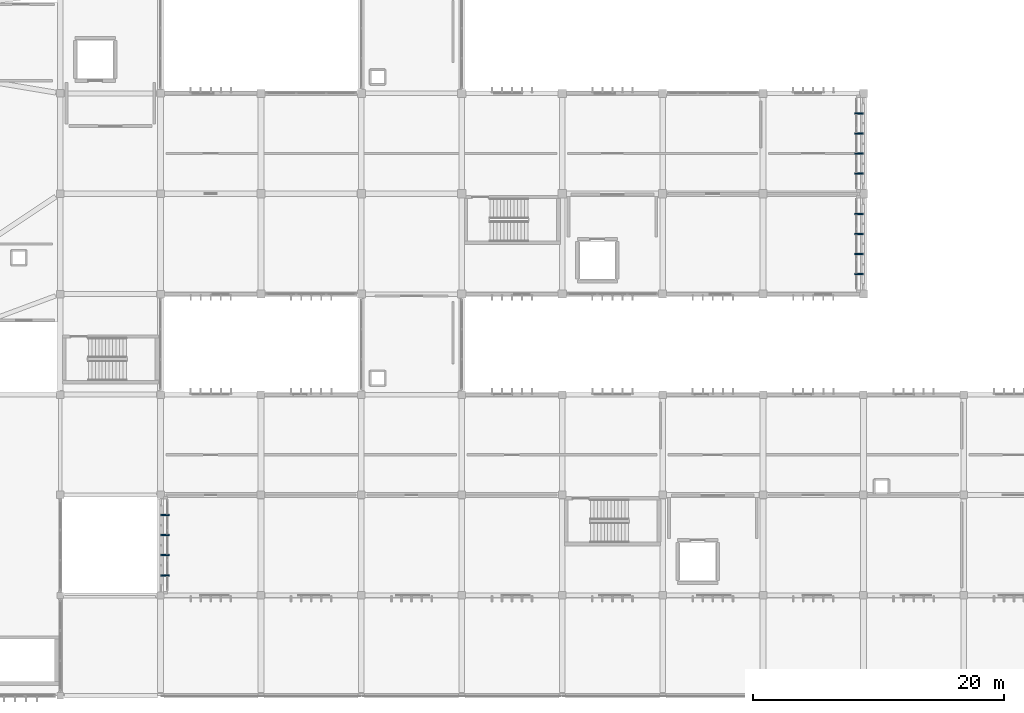
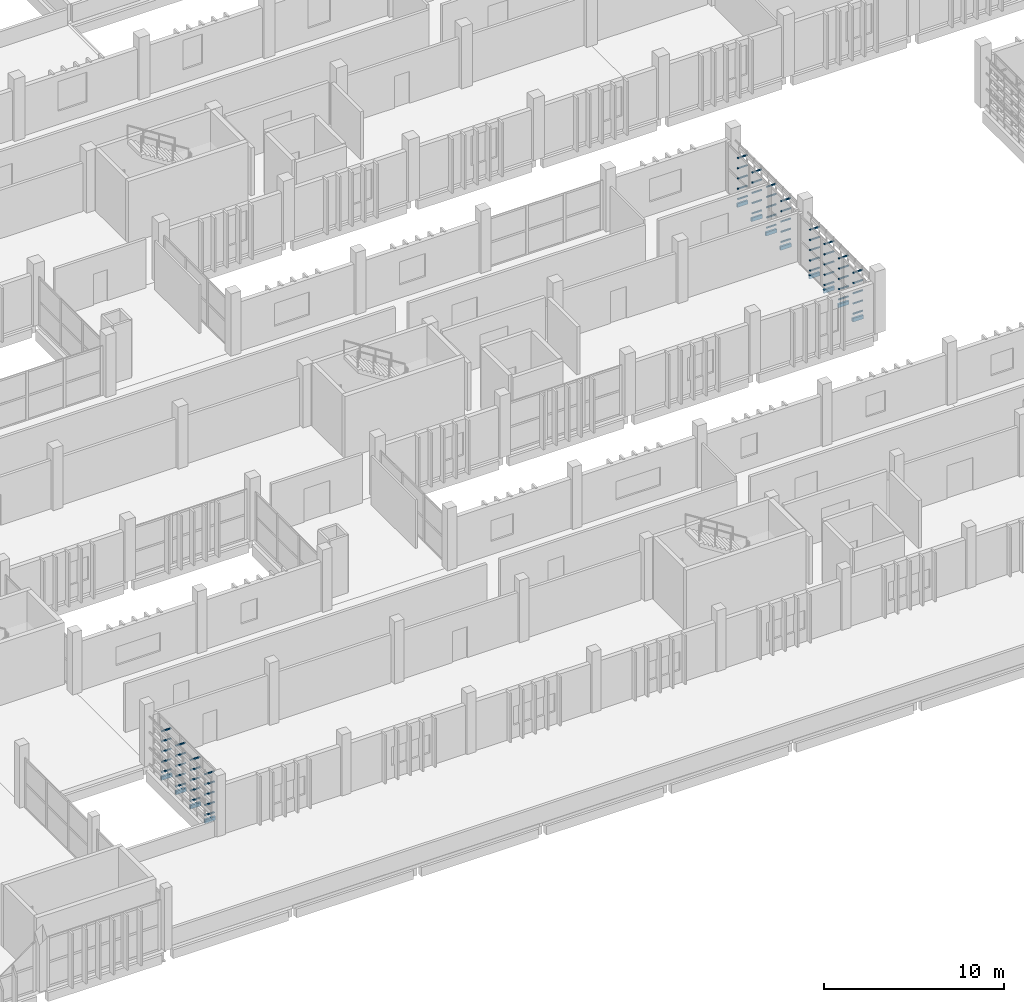
# One storey, part 125 of 137: 72 discrete accessories.
"""IFC4 building model written with IfcOpenShell, lengths in metres."""

from ifc_helpers import new_model, si_unit, direction, frame, origin, origin_2d, place, context, subcontext, project, spatial, rectangle, extrude, material, type_object, element, save


model = new_model("IFC4")

# Units and contexts
model_context = context("Model", 3, precision=1e-05, world=origin(), true_north=direction((0.0, 1.0)))
body_context = subcontext(model_context, "Body", "Model", "MODEL_VIEW")
ifc_project = project(units=[si_unit("LENGTHUNIT", "METRE"), si_unit("AREAUNIT", "SQUARE_METRE"), si_unit("VOLUMEUNIT", "CUBIC_METRE"), si_unit("PLANEANGLEUNIT", "RADIAN"), si_unit("MASSUNIT", "GRAM", prefix="KILO")], contexts=[model_context])

# Site, building, storey
site_placement = place(None, origin())
site = spatial("IfcSite", under=ifc_project, at=site_placement, CompositionType="ELEMENT")
building_placement = place(site_placement, origin())
building = spatial("IfcBuilding", under=site, at=building_placement, Name="Jelvoka-Kovrelna Polytechnic", CompositionType="ELEMENT")
storey_placement = place(building_placement, frame((0.0, 0.0, 9.60009765625)))
storey = spatial("IfcBuildingStorey", under=building, at=storey_placement, Name="L03", CompositionType="ELEMENT", Elevation=9.60009765625)

# Discrete accessories
ifc_material = material(Name="Structural steel S355JR", Category="steel")
discrete_accessory_type = type_object("IfcDiscreteAccessoryType", Name="Bracket_Outrigger_S355", PredefinedType="BRACKET", material=ifc_material)
discrete_accessory_1_placement = place(storey_placement, frame((56.320068359375, 9.60009765625, 0.27978515625), z_axis=(0.0, 0.0, 1.0), x_axis=(1.0, 0.0, 0.0)))
element("IfcDiscreteAccessory", 1, at=discrete_accessory_1_placement, inside=storey, type_object=discrete_accessory_type, Name="L03 screen outrigger tie bracket BRKM-PLT-SCR-0041", PredefinedType="BRACKET", context=body_context, shape_type="SweptSolid", body=[
    extrude(rectangle(XDim=0.639892578125, YDim=0.080078125, at=origin_2d()), origin(), (0.0, 0.0, 1.0), 0.080078125),
])
discrete_accessory_2_placement = place(storey_placement, frame((56.340087890625, 9.60009765625, -0.199951171875), z_axis=(0.0, 0.0, 1.0), x_axis=(1.0, 0.0, 0.0)))
element("IfcDiscreteAccessory", 2, at=discrete_accessory_2_placement, inside=storey, type_object=discrete_accessory_type, Name="L03 screen outrigger tie bracket BRK-PLT-SCR-0041", PredefinedType="BRACKET", context=body_context, shape_type="SweptSolid", body=[
    extrude(rectangle(XDim=0.679931640625, YDim=0.1201171875, at=origin_2d()), origin(), (0.0, 0.0, 1.0), 0.239990234375),
])
for number, where, z_axis, x_axis, name in (
    (3, (56.320068359375, 9.60009765625, 0.972412109375), (0.0, 0.0, 1.0), (1.0, 0.0, 0.0), "L03 screen outrigger tie bracket BRKM-PLT-SCR-0042"),
    (4, (56.320068359375, 9.60009765625, 1.664794921875), (0.0, 0.0, 1.0), (1.0, 0.0, 0.0), "L03 screen outrigger tie bracket BRKM-PLT-SCR-0043"),
    (5, (56.320068359375, 9.60009765625, 2.357421875), (0.0, 0.0, 1.0), (1.0, 0.0, 0.0), "L03 screen outrigger tie bracket BRKM-PLT-SCR-0044"),
    (6, (56.320068359375, 9.60009765625, 3.0498046875), (0.0, 0.0, 1.0), (1.0, 0.0, 0.0), "L03 screen outrigger tie bracket BRKM-PLT-SCR-0045"),
    (7, (56.320068359375, 11.199951171875, 0.27978515625), (0.0, 0.0, 1.0), (1.0, 0.0, 0.0), "L03 screen outrigger tie bracket BRKM-PLT-SCR-0046"),
):
    element("IfcDiscreteAccessory", number, at=place(storey_placement, frame(where, z_axis=z_axis, x_axis=x_axis)), inside=storey, type_object=discrete_accessory_type, Name=name, PredefinedType="BRACKET", context=body_context, shape_type="SweptSolid", body=[
        extrude(rectangle(XDim=0.639892578125, YDim=0.080078125, at=origin_2d()), origin(), (0.0, 0.0, 1.0), 0.080078125),
    ])
discrete_accessory_3_placement = place(storey_placement, frame((56.340087890625, 11.199951171875, -0.199951171875), z_axis=(0.0, 0.0, 1.0), x_axis=(1.0, 0.0, 0.0)))
element("IfcDiscreteAccessory", 8, at=discrete_accessory_3_placement, inside=storey, type_object=discrete_accessory_type, Name="L03 screen outrigger tie bracket BRK-PLT-SCR-0046", PredefinedType="BRACKET", context=body_context, shape_type="SweptSolid", body=[
    extrude(rectangle(XDim=0.679931640625, YDim=0.1201171875, at=origin_2d()), origin(), (0.0, 0.0, 1.0), 0.239990234375),
])
for number, where, z_axis, x_axis, name in (
    (9, (56.320068359375, 11.199951171875, 0.972412109375), (0.0, 0.0, 1.0), (1.0, 0.0, 0.0), "L03 screen outrigger tie bracket BRKM-PLT-SCR-0047"),
    (10, (56.320068359375, 11.199951171875, 1.664794921875), (0.0, 0.0, 1.0), (1.0, 0.0, 0.0), "L03 screen outrigger tie bracket BRKM-PLT-SCR-0048"),
    (11, (56.320068359375, 11.199951171875, 2.357421875), (0.0, 0.0, 1.0), (1.0, 0.0, 0.0), "L03 screen outrigger tie bracket BRKM-PLT-SCR-0049"),
    (12, (56.320068359375, 11.199951171875, 3.0498046875), (0.0, 0.0, 1.0), (1.0, 0.0, 0.0), "L03 screen outrigger tie bracket BRKM-PLT-SCR-0050"),
    (13, (56.320068359375, 12.800048828125, 0.27978515625), (0.0, 0.0, 1.0), (1.0, 0.0, 0.0), "L03 screen outrigger tie bracket BRKM-PLT-SCR-0051"),
):
    element("IfcDiscreteAccessory", number, at=place(storey_placement, frame(where, z_axis=z_axis, x_axis=x_axis)), inside=storey, type_object=discrete_accessory_type, Name=name, PredefinedType="BRACKET", context=body_context, shape_type="SweptSolid", body=[
        extrude(rectangle(XDim=0.639892578125, YDim=0.080078125, at=origin_2d()), origin(), (0.0, 0.0, 1.0), 0.080078125),
    ])
discrete_accessory_4_placement = place(storey_placement, frame((56.340087890625, 12.800048828125, -0.199951171875), z_axis=(0.0, 0.0, 1.0), x_axis=(1.0, 0.0, 0.0)))
element("IfcDiscreteAccessory", 14, at=discrete_accessory_4_placement, inside=storey, type_object=discrete_accessory_type, Name="L03 screen outrigger tie bracket BRK-PLT-SCR-0051", PredefinedType="BRACKET", context=body_context, shape_type="SweptSolid", body=[
    extrude(rectangle(XDim=0.679931640625, YDim=0.1201171875, at=origin_2d()), origin(), (0.0, 0.0, 1.0), 0.239990234375),
])
for number, where, z_axis, x_axis, name in (
    (15, (56.320068359375, 12.800048828125, 0.972412109375), (0.0, 0.0, 1.0), (1.0, 0.0, 0.0), "L03 screen outrigger tie bracket BRKM-PLT-SCR-0052"),
    (16, (56.320068359375, 12.800048828125, 1.664794921875), (0.0, 0.0, 1.0), (1.0, 0.0, 0.0), "L03 screen outrigger tie bracket BRKM-PLT-SCR-0053"),
    (17, (56.320068359375, 12.800048828125, 2.357421875), (0.0, 0.0, 1.0), (1.0, 0.0, 0.0), "L03 screen outrigger tie bracket BRKM-PLT-SCR-0054"),
    (18, (56.320068359375, 12.800048828125, 3.0498046875), (0.0, 0.0, 1.0), (1.0, 0.0, 0.0), "L03 screen outrigger tie bracket BRKM-PLT-SCR-0055"),
    (19, (56.320068359375, 14.39990234375, 0.27978515625), (0.0, 0.0, 1.0), (1.0, 0.0, 0.0), "L03 screen outrigger tie bracket BRKM-PLT-SCR-0056"),
):
    element("IfcDiscreteAccessory", number, at=place(storey_placement, frame(where, z_axis=z_axis, x_axis=x_axis)), inside=storey, type_object=discrete_accessory_type, Name=name, PredefinedType="BRACKET", context=body_context, shape_type="SweptSolid", body=[
        extrude(rectangle(XDim=0.639892578125, YDim=0.080078125, at=origin_2d()), origin(), (0.0, 0.0, 1.0), 0.080078125),
    ])
discrete_accessory_5_placement = place(storey_placement, frame((56.340087890625, 14.39990234375, -0.199951171875), z_axis=(0.0, 0.0, 1.0), x_axis=(1.0, 0.0, 0.0)))
element("IfcDiscreteAccessory", 20, at=discrete_accessory_5_placement, inside=storey, type_object=discrete_accessory_type, Name="L03 screen outrigger tie bracket BRK-PLT-SCR-0056", PredefinedType="BRACKET", context=body_context, shape_type="SweptSolid", body=[
    extrude(rectangle(XDim=0.679931640625, YDim=0.1201171875, at=origin_2d()), origin(), (0.0, 0.0, 1.0), 0.239990234375),
])
for number, where, z_axis, x_axis, name in (
    (21, (56.320068359375, 14.39990234375, 0.972412109375), (0.0, 0.0, 1.0), (1.0, 0.0, 0.0), "L03 screen outrigger tie bracket BRKM-PLT-SCR-0057"),
    (22, (56.320068359375, 14.39990234375, 1.664794921875), (0.0, 0.0, 1.0), (1.0, 0.0, 0.0), "L03 screen outrigger tie bracket BRKM-PLT-SCR-0058"),
    (23, (56.320068359375, 14.39990234375, 2.357421875), (0.0, 0.0, 1.0), (1.0, 0.0, 0.0), "L03 screen outrigger tie bracket BRKM-PLT-SCR-0059"),
    (24, (56.320068359375, 14.39990234375, 3.0498046875), (0.0, 0.0, 1.0), (1.0, 0.0, 0.0), "L03 screen outrigger tie bracket BRKM-PLT-SCR-0060"),
    (25, (111.679931640625, 33.60009765625, 0.27978515625), (0.0, 0.0, 1.0), (1.0, 0.0, 0.0), "L03 screen outrigger tie bracket BRKM-PLT-SCR-0241"),
):
    element("IfcDiscreteAccessory", number, at=place(storey_placement, frame(where, z_axis=z_axis, x_axis=x_axis)), inside=storey, type_object=discrete_accessory_type, Name=name, PredefinedType="BRACKET", context=body_context, shape_type="SweptSolid", body=[
        extrude(rectangle(XDim=0.639892578125, YDim=0.080078125, at=origin_2d()), origin(), (0.0, 0.0, 1.0), 0.080078125),
    ])
discrete_accessory_6_placement = place(storey_placement, frame((111.659912109375, 33.60009765625, -0.199951171875), z_axis=(0.0, 0.0, 1.0), x_axis=(1.0, 0.0, 0.0)))
element("IfcDiscreteAccessory", 26, at=discrete_accessory_6_placement, inside=storey, type_object=discrete_accessory_type, Name="L03 screen outrigger tie bracket BRK-PLT-SCR-0241", PredefinedType="BRACKET", context=body_context, shape_type="SweptSolid", body=[
    extrude(rectangle(XDim=0.679931640625, YDim=0.1201171875, at=origin_2d()), origin(), (0.0, 0.0, 1.0), 0.239990234375),
])
for number, where, z_axis, x_axis, name in (
    (27, (111.679931640625, 33.60009765625, 0.972412109375), (0.0, 0.0, 1.0), (1.0, 0.0, 0.0), "L03 screen outrigger tie bracket BRKM-PLT-SCR-0242"),
    (28, (111.679931640625, 33.60009765625, 1.664794921875), (0.0, 0.0, 1.0), (1.0, 0.0, 0.0), "L03 screen outrigger tie bracket BRKM-PLT-SCR-0243"),
    (29, (111.679931640625, 33.60009765625, 2.357421875), (0.0, 0.0, 1.0), (1.0, 0.0, 0.0), "L03 screen outrigger tie bracket BRKM-PLT-SCR-0244"),
    (30, (111.679931640625, 33.60009765625, 3.0498046875), (0.0, 0.0, 1.0), (1.0, 0.0, 0.0), "L03 screen outrigger tie bracket BRKM-PLT-SCR-0245"),
    (31, (111.679931640625, 35.199951171875, 0.27978515625), (0.0, 0.0, 1.0), (1.0, 0.0, 0.0), "L03 screen outrigger tie bracket BRKM-PLT-SCR-0246"),
):
    element("IfcDiscreteAccessory", number, at=place(storey_placement, frame(where, z_axis=z_axis, x_axis=x_axis)), inside=storey, type_object=discrete_accessory_type, Name=name, PredefinedType="BRACKET", context=body_context, shape_type="SweptSolid", body=[
        extrude(rectangle(XDim=0.639892578125, YDim=0.080078125, at=origin_2d()), origin(), (0.0, 0.0, 1.0), 0.080078125),
    ])
discrete_accessory_7_placement = place(storey_placement, frame((111.659912109375, 35.199951171875, -0.199951171875), z_axis=(0.0, 0.0, 1.0), x_axis=(1.0, 0.0, 0.0)))
element("IfcDiscreteAccessory", 32, at=discrete_accessory_7_placement, inside=storey, type_object=discrete_accessory_type, Name="L03 screen outrigger tie bracket BRK-PLT-SCR-0246", PredefinedType="BRACKET", context=body_context, shape_type="SweptSolid", body=[
    extrude(rectangle(XDim=0.679931640625, YDim=0.1201171875, at=origin_2d()), origin(), (0.0, 0.0, 1.0), 0.239990234375),
])
for number, where, z_axis, x_axis, name in (
    (33, (111.679931640625, 35.199951171875, 0.972412109375), (0.0, 0.0, 1.0), (1.0, 0.0, 0.0), "L03 screen outrigger tie bracket BRKM-PLT-SCR-0247"),
    (34, (111.679931640625, 35.199951171875, 1.664794921875), (0.0, 0.0, 1.0), (1.0, 0.0, 0.0), "L03 screen outrigger tie bracket BRKM-PLT-SCR-0248"),
    (35, (111.679931640625, 35.199951171875, 2.357421875), (0.0, 0.0, 1.0), (1.0, 0.0, 0.0), "L03 screen outrigger tie bracket BRKM-PLT-SCR-0249"),
    (36, (111.679931640625, 35.199951171875, 3.0498046875), (0.0, 0.0, 1.0), (1.0, 0.0, 0.0), "L03 screen outrigger tie bracket BRKM-PLT-SCR-0250"),
    (37, (111.679931640625, 36.800048828125, 0.27978515625), (0.0, 0.0, 1.0), (1.0, 0.0, 0.0), "L03 screen outrigger tie bracket BRKM-PLT-SCR-0251"),
):
    element("IfcDiscreteAccessory", number, at=place(storey_placement, frame(where, z_axis=z_axis, x_axis=x_axis)), inside=storey, type_object=discrete_accessory_type, Name=name, PredefinedType="BRACKET", context=body_context, shape_type="SweptSolid", body=[
        extrude(rectangle(XDim=0.639892578125, YDim=0.080078125, at=origin_2d()), origin(), (0.0, 0.0, 1.0), 0.080078125),
    ])
discrete_accessory_8_placement = place(storey_placement, frame((111.659912109375, 36.800048828125, -0.199951171875), z_axis=(0.0, 0.0, 1.0), x_axis=(1.0, 0.0, 0.0)))
element("IfcDiscreteAccessory", 38, at=discrete_accessory_8_placement, inside=storey, type_object=discrete_accessory_type, Name="L03 screen outrigger tie bracket BRK-PLT-SCR-0251", PredefinedType="BRACKET", context=body_context, shape_type="SweptSolid", body=[
    extrude(rectangle(XDim=0.679931640625, YDim=0.1201171875, at=origin_2d()), origin(), (0.0, 0.0, 1.0), 0.239990234375),
])
for number, where, z_axis, x_axis, name in (
    (39, (111.679931640625, 36.800048828125, 0.972412109375), (0.0, 0.0, 1.0), (1.0, 0.0, 0.0), "L03 screen outrigger tie bracket BRKM-PLT-SCR-0252"),
    (40, (111.679931640625, 36.800048828125, 1.664794921875), (0.0, 0.0, 1.0), (1.0, 0.0, 0.0), "L03 screen outrigger tie bracket BRKM-PLT-SCR-0253"),
    (41, (111.679931640625, 36.800048828125, 2.357421875), (0.0, 0.0, 1.0), (1.0, 0.0, 0.0), "L03 screen outrigger tie bracket BRKM-PLT-SCR-0254"),
    (42, (111.679931640625, 36.800048828125, 3.0498046875), (0.0, 0.0, 1.0), (1.0, 0.0, 0.0), "L03 screen outrigger tie bracket BRKM-PLT-SCR-0255"),
    (43, (111.679931640625, 38.39990234375, 0.27978515625), (0.0, 0.0, 1.0), (1.0, 0.0, 0.0), "L03 screen outrigger tie bracket BRKM-PLT-SCR-0256"),
):
    element("IfcDiscreteAccessory", number, at=place(storey_placement, frame(where, z_axis=z_axis, x_axis=x_axis)), inside=storey, type_object=discrete_accessory_type, Name=name, PredefinedType="BRACKET", context=body_context, shape_type="SweptSolid", body=[
        extrude(rectangle(XDim=0.639892578125, YDim=0.080078125, at=origin_2d()), origin(), (0.0, 0.0, 1.0), 0.080078125),
    ])
discrete_accessory_9_placement = place(storey_placement, frame((111.659912109375, 38.39990234375, -0.199951171875), z_axis=(0.0, 0.0, 1.0), x_axis=(1.0, 0.0, 0.0)))
element("IfcDiscreteAccessory", 44, at=discrete_accessory_9_placement, inside=storey, type_object=discrete_accessory_type, Name="L03 screen outrigger tie bracket BRK-PLT-SCR-0256", PredefinedType="BRACKET", context=body_context, shape_type="SweptSolid", body=[
    extrude(rectangle(XDim=0.679931640625, YDim=0.1201171875, at=origin_2d()), origin(), (0.0, 0.0, 1.0), 0.239990234375),
])
for number, where, z_axis, x_axis, name in (
    (45, (111.679931640625, 38.39990234375, 0.972412109375), (0.0, 0.0, 1.0), (1.0, 0.0, 0.0), "L03 screen outrigger tie bracket BRKM-PLT-SCR-0257"),
    (46, (111.679931640625, 38.39990234375, 1.664794921875), (0.0, 0.0, 1.0), (1.0, 0.0, 0.0), "L03 screen outrigger tie bracket BRKM-PLT-SCR-0258"),
    (47, (111.679931640625, 38.39990234375, 2.357421875), (0.0, 0.0, 1.0), (1.0, 0.0, 0.0), "L03 screen outrigger tie bracket BRKM-PLT-SCR-0259"),
    (48, (111.679931640625, 38.39990234375, 3.0498046875), (0.0, 0.0, 1.0), (1.0, 0.0, 0.0), "L03 screen outrigger tie bracket BRKM-PLT-SCR-0260"),
    (49, (111.679931640625, 41.60009765625, 0.27978515625), (0.0, 0.0, 1.0), (1.0, 0.0, 0.0), "L03 screen outrigger tie bracket BRKM-PLT-SCR-0261"),
):
    element("IfcDiscreteAccessory", number, at=place(storey_placement, frame(where, z_axis=z_axis, x_axis=x_axis)), inside=storey, type_object=discrete_accessory_type, Name=name, PredefinedType="BRACKET", context=body_context, shape_type="SweptSolid", body=[
        extrude(rectangle(XDim=0.639892578125, YDim=0.080078125, at=origin_2d()), origin(), (0.0, 0.0, 1.0), 0.080078125),
    ])
discrete_accessory_10_placement = place(storey_placement, frame((111.659912109375, 41.60009765625, -0.199951171875), z_axis=(0.0, 0.0, 1.0), x_axis=(1.0, 0.0, 0.0)))
element("IfcDiscreteAccessory", 50, at=discrete_accessory_10_placement, inside=storey, type_object=discrete_accessory_type, Name="L03 screen outrigger tie bracket BRK-PLT-SCR-0261", PredefinedType="BRACKET", context=body_context, shape_type="SweptSolid", body=[
    extrude(rectangle(XDim=0.679931640625, YDim=0.1201171875, at=origin_2d()), origin(), (0.0, 0.0, 1.0), 0.239990234375),
])
for number, where, z_axis, x_axis, name in (
    (51, (111.679931640625, 41.60009765625, 0.972412109375), (0.0, 0.0, 1.0), (1.0, 0.0, 0.0), "L03 screen outrigger tie bracket BRKM-PLT-SCR-0262"),
    (52, (111.679931640625, 41.60009765625, 1.664794921875), (0.0, 0.0, 1.0), (1.0, 0.0, 0.0), "L03 screen outrigger tie bracket BRKM-PLT-SCR-0263"),
    (53, (111.679931640625, 41.60009765625, 2.357421875), (0.0, 0.0, 1.0), (1.0, 0.0, 0.0), "L03 screen outrigger tie bracket BRKM-PLT-SCR-0264"),
    (54, (111.679931640625, 41.60009765625, 3.0498046875), (0.0, 0.0, 1.0), (1.0, 0.0, 0.0), "L03 screen outrigger tie bracket BRKM-PLT-SCR-0265"),
    (55, (111.679931640625, 43.199951171875, 0.27978515625), (0.0, 0.0, 1.0), (1.0, 0.0, 0.0), "L03 screen outrigger tie bracket BRKM-PLT-SCR-0266"),
):
    element("IfcDiscreteAccessory", number, at=place(storey_placement, frame(where, z_axis=z_axis, x_axis=x_axis)), inside=storey, type_object=discrete_accessory_type, Name=name, PredefinedType="BRACKET", context=body_context, shape_type="SweptSolid", body=[
        extrude(rectangle(XDim=0.639892578125, YDim=0.080078125, at=origin_2d()), origin(), (0.0, 0.0, 1.0), 0.080078125),
    ])
discrete_accessory_11_placement = place(storey_placement, frame((111.659912109375, 43.199951171875, -0.199951171875), z_axis=(0.0, 0.0, 1.0), x_axis=(1.0, 0.0, 0.0)))
element("IfcDiscreteAccessory", 56, at=discrete_accessory_11_placement, inside=storey, type_object=discrete_accessory_type, Name="L03 screen outrigger tie bracket BRK-PLT-SCR-0266", PredefinedType="BRACKET", context=body_context, shape_type="SweptSolid", body=[
    extrude(rectangle(XDim=0.679931640625, YDim=0.1201171875, at=origin_2d()), origin(), (0.0, 0.0, 1.0), 0.239990234375),
])
for number, where, z_axis, x_axis, name in (
    (57, (111.679931640625, 43.199951171875, 0.972412109375), (0.0, 0.0, 1.0), (1.0, 0.0, 0.0), "L03 screen outrigger tie bracket BRKM-PLT-SCR-0267"),
    (58, (111.679931640625, 43.199951171875, 1.664794921875), (0.0, 0.0, 1.0), (1.0, 0.0, 0.0), "L03 screen outrigger tie bracket BRKM-PLT-SCR-0268"),
    (59, (111.679931640625, 43.199951171875, 2.357421875), (0.0, 0.0, 1.0), (1.0, 0.0, 0.0), "L03 screen outrigger tie bracket BRKM-PLT-SCR-0269"),
    (60, (111.679931640625, 43.199951171875, 3.0498046875), (0.0, 0.0, 1.0), (1.0, 0.0, 0.0), "L03 screen outrigger tie bracket BRKM-PLT-SCR-0270"),
    (61, (111.679931640625, 44.800048828125, 0.27978515625), (0.0, 0.0, 1.0), (1.0, 0.0, 0.0), "L03 screen outrigger tie bracket BRKM-PLT-SCR-0271"),
):
    element("IfcDiscreteAccessory", number, at=place(storey_placement, frame(where, z_axis=z_axis, x_axis=x_axis)), inside=storey, type_object=discrete_accessory_type, Name=name, PredefinedType="BRACKET", context=body_context, shape_type="SweptSolid", body=[
        extrude(rectangle(XDim=0.639892578125, YDim=0.080078125, at=origin_2d()), origin(), (0.0, 0.0, 1.0), 0.080078125),
    ])
discrete_accessory_12_placement = place(storey_placement, frame((111.659912109375, 44.800048828125, -0.199951171875), z_axis=(0.0, 0.0, 1.0), x_axis=(1.0, 0.0, 0.0)))
element("IfcDiscreteAccessory", 62, at=discrete_accessory_12_placement, inside=storey, type_object=discrete_accessory_type, Name="L03 screen outrigger tie bracket BRK-PLT-SCR-0271", PredefinedType="BRACKET", context=body_context, shape_type="SweptSolid", body=[
    extrude(rectangle(XDim=0.679931640625, YDim=0.1201171875, at=origin_2d()), origin(), (0.0, 0.0, 1.0), 0.239990234375),
])
for number, where, z_axis, x_axis, name in (
    (63, (111.679931640625, 44.800048828125, 0.972412109375), (0.0, 0.0, 1.0), (1.0, 0.0, 0.0), "L03 screen outrigger tie bracket BRKM-PLT-SCR-0272"),
    (64, (111.679931640625, 44.800048828125, 1.664794921875), (0.0, 0.0, 1.0), (1.0, 0.0, 0.0), "L03 screen outrigger tie bracket BRKM-PLT-SCR-0273"),
    (65, (111.679931640625, 44.800048828125, 2.357421875), (0.0, 0.0, 1.0), (1.0, 0.0, 0.0), "L03 screen outrigger tie bracket BRKM-PLT-SCR-0274"),
    (66, (111.679931640625, 44.800048828125, 3.0498046875), (0.0, 0.0, 1.0), (1.0, 0.0, 0.0), "L03 screen outrigger tie bracket BRKM-PLT-SCR-0275"),
    (67, (111.679931640625, 46.39990234375, 0.27978515625), (0.0, 0.0, 1.0), (1.0, 0.0, 0.0), "L03 screen outrigger tie bracket BRKM-PLT-SCR-0276"),
):
    element("IfcDiscreteAccessory", number, at=place(storey_placement, frame(where, z_axis=z_axis, x_axis=x_axis)), inside=storey, type_object=discrete_accessory_type, Name=name, PredefinedType="BRACKET", context=body_context, shape_type="SweptSolid", body=[
        extrude(rectangle(XDim=0.639892578125, YDim=0.080078125, at=origin_2d()), origin(), (0.0, 0.0, 1.0), 0.080078125),
    ])
discrete_accessory_13_placement = place(storey_placement, frame((111.659912109375, 46.39990234375, -0.199951171875), z_axis=(0.0, 0.0, 1.0), x_axis=(1.0, 0.0, 0.0)))
element("IfcDiscreteAccessory", 68, at=discrete_accessory_13_placement, inside=storey, type_object=discrete_accessory_type, Name="L03 screen outrigger tie bracket BRK-PLT-SCR-0276", PredefinedType="BRACKET", context=body_context, shape_type="SweptSolid", body=[
    extrude(rectangle(XDim=0.679931640625, YDim=0.1201171875, at=origin_2d()), origin(), (0.0, 0.0, 1.0), 0.239990234375),
])
for number, where, z_axis, x_axis, name in (
    (69, (111.679931640625, 46.39990234375, 0.972412109375), (0.0, 0.0, 1.0), (1.0, 0.0, 0.0), "L03 screen outrigger tie bracket BRKM-PLT-SCR-0277"),
    (70, (111.679931640625, 46.39990234375, 1.664794921875), (0.0, 0.0, 1.0), (1.0, 0.0, 0.0), "L03 screen outrigger tie bracket BRKM-PLT-SCR-0278"),
    (71, (111.679931640625, 46.39990234375, 2.357421875), (0.0, 0.0, 1.0), (1.0, 0.0, 0.0), "L03 screen outrigger tie bracket BRKM-PLT-SCR-0279"),
    (72, (111.679931640625, 46.39990234375, 3.0498046875), (0.0, 0.0, 1.0), (1.0, 0.0, 0.0), "L03 screen outrigger tie bracket BRKM-PLT-SCR-0280"),
):
    element("IfcDiscreteAccessory", number, at=place(storey_placement, frame(where, z_axis=z_axis, x_axis=x_axis)), inside=storey, type_object=discrete_accessory_type, Name=name, PredefinedType="BRACKET", context=body_context, shape_type="SweptSolid", body=[
        extrude(rectangle(XDim=0.639892578125, YDim=0.080078125, at=origin_2d()), origin(), (0.0, 0.0, 1.0), 0.080078125),
    ])

save(model, "model.ifc")
